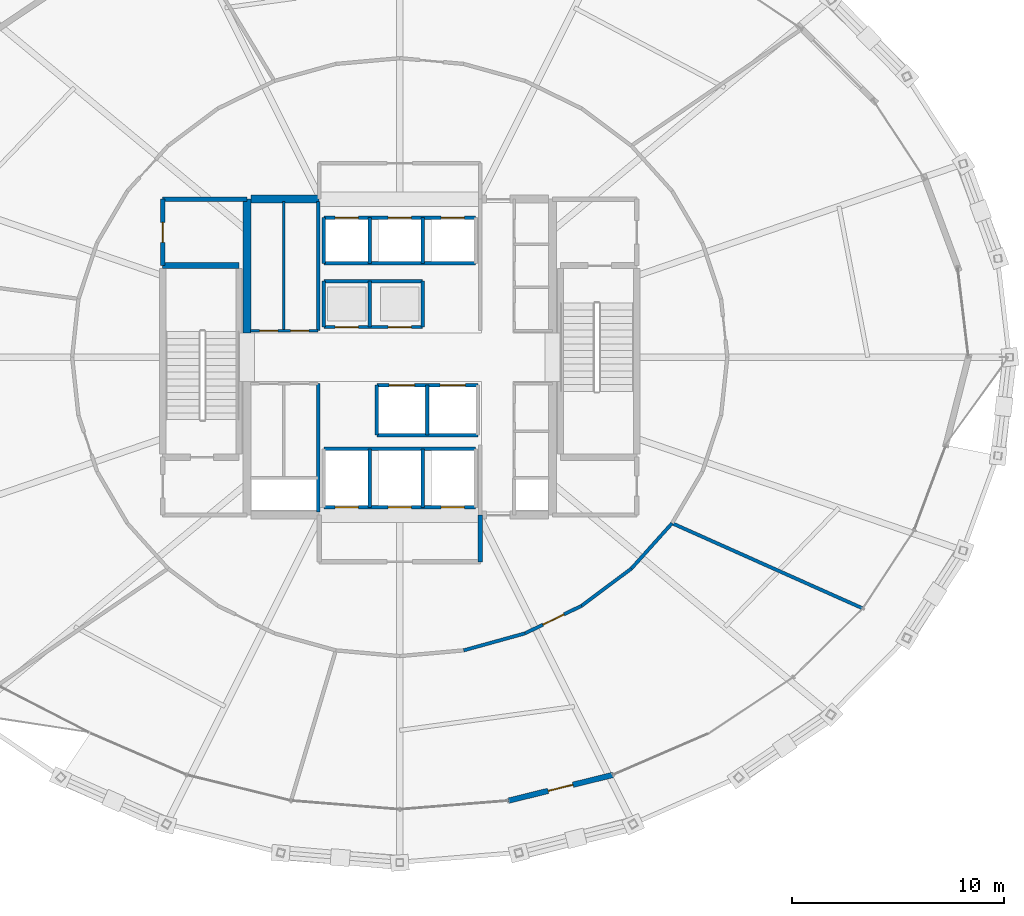
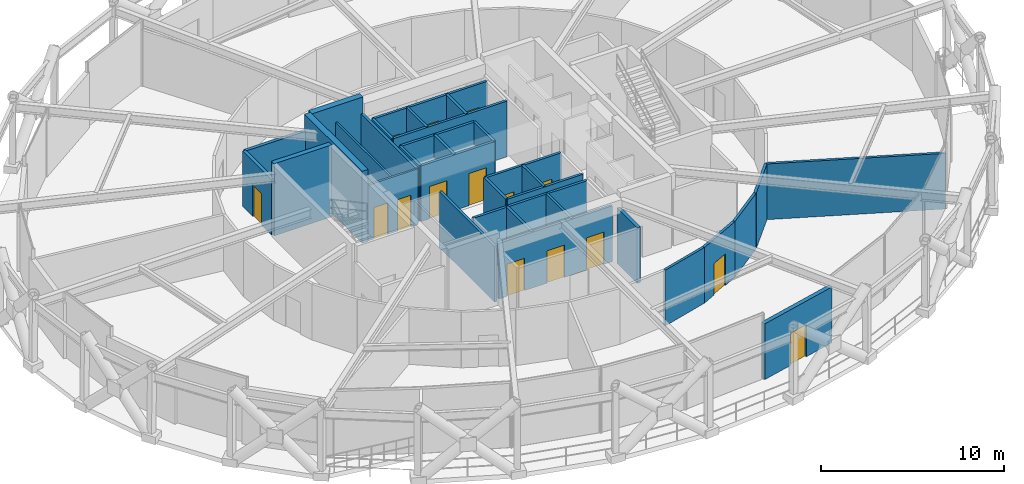
# One storey, part 33 of 39: 34 walls, 15 doors, 15 openings.
"""IFC4 building model written with IfcOpenShell, lengths in metres."""

from ifc_helpers import new_model, si_unit, direction, frame, frame_2d, origin, place, context, subcontext, project, spatial, rectangle, extrude, material, layer, layer_set, type_object, element, fill, save


model = new_model("IFC4")

# Units and contexts
model_context = context("Model", 3, precision=1e-05, world=origin(), true_north=direction((0.0, 1.0)))
body_context = subcontext(model_context, "Body", "Model", "MODEL_VIEW")
ifc_project = project(units=[si_unit("LENGTHUNIT", "METRE"), si_unit("AREAUNIT", "SQUARE_METRE"), si_unit("VOLUMEUNIT", "CUBIC_METRE"), si_unit("PLANEANGLEUNIT", "RADIAN"), si_unit("MASSUNIT", "GRAM", prefix="KILO")], contexts=[model_context])

# Site, building, storey
site_placement = place(None, origin())
site = spatial("IfcSite", under=ifc_project, at=site_placement, CompositionType="ELEMENT")
building_placement = place(site_placement, origin())
building = spatial("IfcBuilding", under=site, at=building_placement, Name="Veldorina Hangang Commons", CompositionType="ELEMENT")
storey_placement = place(building_placement, frame((0.0, 0.0, 106.0)))
storey = spatial("IfcBuildingStorey", under=building, at=storey_placement, Name="L27", CompositionType="ELEMENT", Elevation=106.0)

# Walls
ifc_material_1 = material(Name="Concrete C70/85", Category="concrete")
ifc_layer_1 = layer(ifc_material_1, 0.3798828125)
ifc_layer_set_1 = layer_set([ifc_layer_1], Name="Concrete C70/85")
wall_type_1 = type_object("IfcWallType", Name="CW-RC380-C70", PredefinedType="SHEAR", material=ifc_layer_set_1)
wall_1_placement = place(storey_placement, frame((24.800048828125, 25.14990234375, 0.0), z_axis=(0.0, 0.0, 1.0), x_axis=(0.0, 1.0, 0.0)))
element("IfcWall", 1, at=wall_1_placement, inside=storey, type_object=wall_type_1, Name="L27 W north core shear wall", PredefinedType="SHEAR", context=body_context, shape_type="SweptSolid", body=[
    extrude(rectangle(XDim=6.300048828125, YDim=0.3798828125, at=frame_2d((3.14990234375, 0.0))), origin(), (0.0, 0.0, 1.0), 4.800048828125),
])
wall_2_placement = place(storey_placement, frame((24.989990234375, 31.449951171875, 0.0), z_axis=(0.0, 0.0, 1.0), x_axis=(1.0, 0.0, 0.0)))
element("IfcWall", 2, at=wall_2_placement, inside=storey, type_object=wall_type_1, Name="L27 north-west core shear wall", PredefinedType="SHEAR", context=body_context, shape_type="SweptSolid", body=[
    extrude(rectangle(XDim=3.2099609375, YDim=0.3798828125, at=frame_2d((1.60498046875, 0.0))), origin(), (0.0, 0.0, 1.0), 4.800048828125),
])

# Wall, opening, door
ifc_material_2 = material(Name="Stone Roman Travertine", Category="masonry")
ifc_layer_2 = layer(ifc_material_2, 0.260009765625)
ifc_layer_set_2 = layer_set([ifc_layer_2], Name="Stone Roman Travertine")
wall_type_2 = type_object("IfcWallType", Name="EW-LOGGIA-260", PredefinedType="STANDARD", material=ifc_layer_set_2)
wall_3_placement = place(storey_placement, frame((37.12353515625, 3.081787109375, 0.0), z_axis=(0.0, 0.0, 1.0), x_axis=(0.970974491288, 0.23918306225, 0.0)))
wall_3 = element("IfcWall", 3, at=wall_3_placement, inside=storey, type_object=wall_type_2, Name="L27 sky-garden loggia portal wall 25", PredefinedType="STANDARD", context=body_context, shape_type="SweptSolid", body=[
    extrude(rectangle(XDim=5.073974609375, YDim=0.260009765625, at=frame_2d((2.537109375, 0.0))), origin(), (0.0, 0.0, 1.0), 3.7099609375),
])
opening_1_placement = place(wall_3_placement, frame((1.93701171875, 0.0, 0.0)))
opening_1 = element("IfcOpeningElement", 4, at=opening_1_placement, cuts=wall_3, Name="Opening BD-1200", PredefinedType="OPENING", context=body_context, shape_type="SweptSolid", body=[
    extrude(rectangle(XDim=1.199951171875, YDim=2.14990234375, at=frame_2d((0.60009765625, 1.074951171875))), frame((0.0, 0.14013671875, 0.0), z_axis=(0.0, -1.0, 0.0), x_axis=(1.0, 0.0, 0.0)), (0.0, 0.0, 1.0), 0.280029296875),
])
ifc_material_3 = material(Name="Glass Thermal Aluminium Frame", Category="aluminium")
door_type_1 = type_object("IfcDoorType", Name="DR-EXT-LOG1200", OperationType="SINGLE_SWING_LEFT", PredefinedType="DOOR", material=ifc_material_3)
door_1_placement = place(opening_1_placement, origin())
door_1 = element("IfcDoor", 5, at=door_1_placement, inside=storey, type_object=door_type_1, Name="L27 loggia glazed exterior door 25", OperationType="SINGLE_SWING_RIGHT", OverallHeight=2.14990234375, OverallWidth=1.199951171875, PredefinedType="DOOR", context=body_context, shape_type="SweptSolid", body=[
    extrude(rectangle(XDim=1.199951171875, YDim=2.14990234375, at=frame_2d((0.60009765625, 1.074951171875))), frame((0.0, 0.02490234375, 0.0), z_axis=(0.0, -1.0, 0.0), x_axis=(1.0, 0.0, 0.0)), (0.0, 0.0, 1.0), 0.050048828125),
])
fill(opening_1, door_1)

# Wall
ifc_material_4 = material(Name="Concrete C50/60", Category="concrete")
ifc_layer_3 = layer(ifc_material_4, 0.300048828125)
ifc_layer_set_3 = layer_set([ifc_layer_3], Name="Concrete C50/60")
wall_type_3 = type_object("IfcWallType", Name="SW-STAIR-300", PredefinedType="SHEAR", material=ifc_layer_set_3)
wall_4_placement = place(storey_placement, frame((20.820068359375, 28.320068359375, 0.0), z_axis=(0.0, 0.0, 1.0), x_axis=(1.0, 0.0, 0.0)))
element("IfcWall", 6, at=wall_4_placement, inside=storey, type_object=wall_type_3, Name="L27 ST1 north stair shear wall", PredefinedType="SHEAR", context=body_context, shape_type="SweptSolid", body=[
    extrude(rectangle(XDim=3.599853515625, YDim=0.300048828125, at=frame_2d((1.7998046875, 0.0))), origin(), (0.0, 0.0, 1.0), 4.800048828125),
])

# Wall, openings, doors
ifc_material_5 = material(Name="Gypsum Fire-Rated Twin Stud Wall", Category="gypsum")
ifc_layer_4 = layer(ifc_material_5, 0.159912109375)
ifc_layer_set_4 = layer_set([ifc_layer_4], Name="Gypsum Fire-Rated Twin Stud Wall")
wall_type_4 = type_object("IfcWallType", Name="WL-FIRE-160", PredefinedType="SOLIDWALL", material=ifc_layer_set_4)
wall_5_placement = place(storey_placement, frame((28.419921875, 30.580078125, 0.0), z_axis=(0.0, 0.0, 1.0), x_axis=(1.0, 0.0, 0.0)))
wall_5 = element("IfcWall", 7, at=wall_5_placement, inside=storey, type_object=wall_type_4, Name="L27 Low-bank front shaft wall 015", PredefinedType="SOLIDWALL", context=body_context, shape_type="SweptSolid", body=[
    extrude(rectangle(XDim=7.16015625, YDim=0.159912109375, at=frame_2d((3.580078125, 0.0))), origin(), (0.0, 0.0, 1.0), 3.7099609375),
])
opening_2_placement = place(wall_5_placement, frame((0.530029296875, 0.0, 0.0)))
opening_2 = element("IfcOpeningElement", 8, at=opening_2_placement, cuts=wall_5, Name="Opening LD-01", PredefinedType="OPENING", context=body_context, shape_type="SweptSolid", body=[
    extrude(rectangle(XDim=1.10009765625, YDim=2.14990234375, at=frame_2d((0.550048828125, 1.074951171875))), frame((0.0, 0.08984375, 0.0), z_axis=(0.0, -1.0, 0.0), x_axis=(1.0, 0.0, 0.0)), (0.0, 0.0, 1.0), 0.179931640625),
])
opening_3_placement = place(wall_5_placement, frame((3.030029296875, 0.0, 0.0)))
opening_3 = element("IfcOpeningElement", 9, at=opening_3_placement, cuts=wall_5, Name="Opening LD-01", PredefinedType="OPENING", context=body_context, shape_type="SweptSolid", body=[
    extrude(rectangle(XDim=1.10009765625, YDim=2.14990234375, at=frame_2d((0.550048828125, 1.074951171875))), frame((0.0, 0.08984375, 0.0), z_axis=(0.0, -1.0, 0.0), x_axis=(1.0, 0.0, 0.0)), (0.0, 0.0, 1.0), 0.179931640625),
])
opening_4_placement = place(wall_5_placement, frame((5.530029296875, 0.0, 0.0)))
opening_4 = element("IfcOpeningElement", 10, at=opening_4_placement, cuts=wall_5, Name="Opening LD-01", PredefinedType="OPENING", context=body_context, shape_type="SweptSolid", body=[
    extrude(rectangle(XDim=1.10009765625, YDim=2.14990234375, at=frame_2d((0.550048828125, 1.074951171875))), frame((0.0, 0.08984375, 0.0), z_axis=(0.0, -1.0, 0.0), x_axis=(1.0, 0.0, 0.0)), (0.0, 0.0, 1.0), 0.179931640625),
])
ifc_material_6 = material(Name="Stainless Steel Brushed Lift Door", Category="steel")
door_type_2 = type_object("IfcDoorType", Name="DR-LIFT-1100", OperationType="SLIDING_TO_LEFT", PredefinedType="DOOR", material=ifc_material_6)
door_2_placement = place(opening_2_placement, origin())
door_2 = element("IfcDoor", 11, at=door_2_placement, inside=storey, type_object=door_type_2, Name="L27 Lift PL-L1 landing door 006", OperationType="SLIDING_TO_LEFT", OverallHeight=2.14990234375, OverallWidth=1.10009765625, PredefinedType="DOOR", context=body_context, shape_type="SweptSolid", body=[
    extrude(rectangle(XDim=1.10009765625, YDim=2.14990234375, at=frame_2d((0.550048828125, 1.074951171875))), frame((0.0, 0.02490234375, 0.0), z_axis=(0.0, -1.0, 0.0), x_axis=(1.0, 0.0, 0.0)), (0.0, 0.0, 1.0), 0.050048828125),
])
fill(opening_2, door_2)
door_3_placement = place(opening_3_placement, origin())
door_3 = element("IfcDoor", 12, at=door_3_placement, inside=storey, type_object=door_type_2, Name="L27 Lift PL-L2 landing door 007", OperationType="SLIDING_TO_LEFT", OverallHeight=2.14990234375, OverallWidth=1.10009765625, PredefinedType="DOOR", context=body_context, shape_type="SweptSolid", body=[
    extrude(rectangle(XDim=1.10009765625, YDim=2.14990234375, at=frame_2d((0.550048828125, 1.074951171875))), frame((0.0, 0.02490234375, 0.0), z_axis=(0.0, -1.0, 0.0), x_axis=(1.0, 0.0, 0.0)), (0.0, 0.0, 1.0), 0.050048828125),
])
fill(opening_3, door_3)
door_4_placement = place(opening_4_placement, origin())
door_4 = element("IfcDoor", 13, at=door_4_placement, inside=storey, type_object=door_type_2, Name="L27 Lift PL-L3 landing door 008", OperationType="SLIDING_TO_LEFT", OverallHeight=2.14990234375, OverallWidth=1.10009765625, PredefinedType="DOOR", context=body_context, shape_type="SweptSolid", body=[
    extrude(rectangle(XDim=1.10009765625, YDim=2.14990234375, at=frame_2d((0.550048828125, 1.074951171875))), frame((0.0, 0.02490234375, 0.0), z_axis=(0.0, -1.0, 0.0), x_axis=(1.0, 0.0, 0.0)), (0.0, 0.0, 1.0), 0.050048828125),
])
fill(opening_4, door_4)

# Walls
wall_6_placement = place(storey_placement, frame((28.419921875, 28.419921875, 0.0), z_axis=(0.0, 0.0, 1.0), x_axis=(1.0, 0.0, 0.0)))
element("IfcWall", 14, at=wall_6_placement, inside=storey, type_object=wall_type_4, Name="L27 Low-bank rear shaft wall 016", PredefinedType="SOLIDWALL", context=body_context, shape_type="SweptSolid", body=[
    extrude(rectangle(XDim=7.16015625, YDim=0.159912109375, at=frame_2d((3.580078125, 0.0))), origin(), (0.0, 0.0, 1.0), 3.7099609375),
])
for number, where, z_axis, x_axis, name in (
    (15, (28.419921875, 28.419921875, 0.0), (0.0, 0.0, 1.0), (0.0, 1.0, 0.0), "L27 PL-L1 west shaft wall 017"),
    (16, (30.580078125, 28.419921875, 0.0), (0.0, 0.0, 1.0), (0.0, 1.0, 0.0), "L27 PL-L1 east shaft wall 018"),
    (17, (33.080078125, 28.419921875, 0.0), (0.0, 0.0, 1.0), (0.0, 1.0, 0.0), "L27 PL-L2 east shaft wall 019"),
):
    element("IfcWall", number, at=place(storey_placement, frame(where, z_axis=z_axis, x_axis=x_axis)), inside=storey, type_object=wall_type_4, Name=name, PredefinedType="SOLIDWALL", context=body_context, shape_type="SweptSolid", body=[
        extrude(rectangle(XDim=2.16015625, YDim=0.159912109375, at=frame_2d((1.080078125, 0.0))), origin(), (0.0, 0.0, 1.0), 3.7099609375),
    ])

# Wall, openings, doors
wall_7_placement = place(storey_placement, frame((28.419921875, 25.419921875, 0.0), z_axis=(0.0, 0.0, 1.0), x_axis=(1.0, 0.0, 0.0)))
wall_7 = element("IfcWall", 18, at=wall_7_placement, inside=storey, type_object=wall_type_4, Name="L27 Mid-high front shaft wall 021", PredefinedType="SOLIDWALL", context=body_context, shape_type="SweptSolid", body=[
    extrude(rectangle(XDim=4.66015625, YDim=0.159912109375, at=frame_2d((2.330078125, 0.0))), origin(), (0.0, 0.0, 1.0), 3.7099609375),
])
opening_5_placement = place(wall_7_placement, frame((0.530029296875, 0.0, 0.0)))
opening_5 = element("IfcOpeningElement", 19, at=opening_5_placement, cuts=wall_7, Name="Opening LD-01", PredefinedType="OPENING", context=body_context, shape_type="SweptSolid", body=[
    extrude(rectangle(XDim=1.10009765625, YDim=2.14990234375, at=frame_2d((0.550048828125, 1.074951171875))), frame((0.0, 0.08984375, 0.0), z_axis=(0.0, -1.0, 0.0), x_axis=(1.0, 0.0, 0.0)), (0.0, 0.0, 1.0), 0.179931640625),
])
opening_6_placement = place(wall_7_placement, frame((3.030029296875, 0.0, 0.0)))
opening_6 = element("IfcOpeningElement", 20, at=opening_6_placement, cuts=wall_7, Name="Opening LD-01", PredefinedType="OPENING", context=body_context, shape_type="SweptSolid", body=[
    extrude(rectangle(XDim=1.10009765625, YDim=2.14990234375, at=frame_2d((0.550048828125, 1.074951171875))), frame((0.0, 0.08984375, 0.0), z_axis=(0.0, -1.0, 0.0), x_axis=(1.0, 0.0, 0.0)), (0.0, 0.0, 1.0), 0.179931640625),
])
door_5_placement = place(opening_5_placement, origin())
door_5 = element("IfcDoor", 21, at=door_5_placement, inside=storey, type_object=door_type_2, Name="L27 Lift PL-M1 landing door 009", OperationType="SLIDING_TO_RIGHT", OverallHeight=2.14990234375, OverallWidth=1.10009765625, PredefinedType="DOOR", context=body_context, shape_type="SweptSolid", body=[
    extrude(rectangle(XDim=1.10009765625, YDim=2.14990234375, at=frame_2d((0.550048828125, 1.074951171875))), frame((0.0, 0.02490234375, 0.0), z_axis=(0.0, -1.0, 0.0), x_axis=(1.0, 0.0, 0.0)), (0.0, 0.0, 1.0), 0.050048828125),
])
fill(opening_5, door_5)
door_6_placement = place(opening_6_placement, origin())
door_6 = element("IfcDoor", 22, at=door_6_placement, inside=storey, type_object=door_type_2, Name="L27 Lift PL-M2 landing door 010", OperationType="SLIDING_TO_RIGHT", OverallHeight=2.14990234375, OverallWidth=1.10009765625, PredefinedType="DOOR", context=body_context, shape_type="SweptSolid", body=[
    extrude(rectangle(XDim=1.10009765625, YDim=2.14990234375, at=frame_2d((0.550048828125, 1.074951171875))), frame((0.0, 0.02490234375, 0.0), z_axis=(0.0, -1.0, 0.0), x_axis=(1.0, 0.0, 0.0)), (0.0, 0.0, 1.0), 0.050048828125),
])
fill(opening_6, door_6)

# Walls
wall_8_placement = place(storey_placement, frame((28.419921875, 27.580078125, 0.0), z_axis=(0.0, 0.0, 1.0), x_axis=(1.0, 0.0, 0.0)))
element("IfcWall", 23, at=wall_8_placement, inside=storey, type_object=wall_type_4, Name="L27 Mid-high rear shaft wall 022", PredefinedType="SOLIDWALL", context=body_context, shape_type="SweptSolid", body=[
    extrude(rectangle(XDim=4.66015625, YDim=0.159912109375, at=frame_2d((2.330078125, 0.0))), origin(), (0.0, 0.0, 1.0), 3.7099609375),
])
for number, where, z_axis, x_axis, name in (
    (24, (28.419921875, 25.419921875, 0.0), (0.0, 0.0, 1.0), (0.0, 1.0, 0.0), "L27 PL-M1 west shaft wall 023"),
    (25, (30.580078125, 25.419921875, 0.0), (0.0, 0.0, 1.0), (0.0, 1.0, 0.0), "L27 PL-M1 east shaft wall 024"),
    (26, (33.080078125, 25.419921875, 0.0), (0.0, 0.0, 1.0), (0.0, 1.0, 0.0), "L27 PL-M2 east shaft wall 025"),
):
    element("IfcWall", number, at=place(storey_placement, frame(where, z_axis=z_axis, x_axis=x_axis)), inside=storey, type_object=wall_type_4, Name=name, PredefinedType="SOLIDWALL", context=body_context, shape_type="SweptSolid", body=[
        extrude(rectangle(XDim=2.16015625, YDim=0.159912109375, at=frame_2d((1.080078125, 0.0))), origin(), (0.0, 0.0, 1.0), 3.7099609375),
    ])

# Wall, openings, doors
wall_9_placement = place(storey_placement, frame((30.919921875, 22.679931640625, 0.0), z_axis=(0.0, 0.0, 1.0), x_axis=(1.0, 0.0, 0.0)))
wall_9 = element("IfcWall", 27, at=wall_9_placement, inside=storey, type_object=wall_type_4, Name="L27 Shuttle-high front shaft wall 026", PredefinedType="SOLIDWALL", context=body_context, shape_type="SweptSolid", body=[
    extrude(rectangle(XDim=4.760009765625, YDim=0.159912109375, at=frame_2d((2.3798828125, 0.0))), origin(), (0.0, 0.0, 1.0), 3.7099609375),
])
opening_7_placement = place(wall_9_placement, frame((0.580078125, 0.0, 0.0)))
opening_7 = element("IfcOpeningElement", 28, at=opening_7_placement, cuts=wall_9, Name="Opening LD-02", PredefinedType="OPENING", context=body_context, shape_type="SweptSolid", body=[
    extrude(rectangle(XDim=1.199951171875, YDim=2.14990234375, at=frame_2d((0.60009765625, 1.074951171875))), frame((0.0, 0.08984375, 0.0), z_axis=(0.0, -1.0, 0.0), x_axis=(1.0, 0.0, 0.0)), (0.0, 0.0, 1.0), 0.179931640625),
])
opening_8_placement = place(wall_9_placement, frame((2.97998046875, 0.0, 0.0)))
opening_8 = element("IfcOpeningElement", 29, at=opening_8_placement, cuts=wall_9, Name="Opening LD-02", PredefinedType="OPENING", context=body_context, shape_type="SweptSolid", body=[
    extrude(rectangle(XDim=1.199951171875, YDim=2.14990234375, at=frame_2d((0.60009765625, 1.074951171875))), frame((0.0, 0.08984375, 0.0), z_axis=(0.0, -1.0, 0.0), x_axis=(1.0, 0.0, 0.0)), (0.0, 0.0, 1.0), 0.179931640625),
])
ifc_material_7 = material(Name="Stainless Steel Express Lift Door", Category="steel")
door_type_3 = type_object("IfcDoorType", Name="DR-LIFT-1200", OperationType="SLIDING_TO_LEFT", PredefinedType="DOOR", material=ifc_material_7)
door_7_placement = place(opening_7_placement, origin())
door_7 = element("IfcDoor", 30, at=door_7_placement, inside=storey, type_object=door_type_3, Name="L27 Lift SL-1 landing door 011", OperationType="SLIDING_TO_LEFT", OverallHeight=2.14990234375, OverallWidth=1.199951171875, PredefinedType="DOOR", context=body_context, shape_type="SweptSolid", body=[
    extrude(rectangle(XDim=1.199951171875, YDim=2.14990234375, at=frame_2d((0.60009765625, 1.074951171875))), frame((0.0, 0.02490234375, 0.0), z_axis=(0.0, -1.0, 0.0), x_axis=(1.0, 0.0, 0.0)), (0.0, 0.0, 1.0), 0.050048828125),
])
fill(opening_7, door_7)
door_8_placement = place(opening_8_placement, origin())
door_8 = element("IfcDoor", 31, at=door_8_placement, inside=storey, type_object=door_type_3, Name="L27 Lift SL-2 landing door 012", OperationType="SLIDING_TO_LEFT", OverallHeight=2.14990234375, OverallWidth=1.199951171875, PredefinedType="DOOR", context=body_context, shape_type="SweptSolid", body=[
    extrude(rectangle(XDim=1.199951171875, YDim=2.14990234375, at=frame_2d((0.60009765625, 1.074951171875))), frame((0.0, 0.02490234375, 0.0), z_axis=(0.0, -1.0, 0.0), x_axis=(1.0, 0.0, 0.0)), (0.0, 0.0, 1.0), 0.050048828125),
])
fill(opening_8, door_8)

# Walls
wall_10_placement = place(storey_placement, frame((30.919921875, 20.320068359375, 0.0), z_axis=(0.0, 0.0, 1.0), x_axis=(1.0, 0.0, 0.0)))
element("IfcWall", 32, at=wall_10_placement, inside=storey, type_object=wall_type_4, Name="L27 Shuttle-high rear shaft wall 027", PredefinedType="SOLIDWALL", context=body_context, shape_type="SweptSolid", body=[
    extrude(rectangle(XDim=4.760009765625, YDim=0.159912109375, at=frame_2d((2.3798828125, 0.0))), origin(), (0.0, 0.0, 1.0), 3.7099609375),
])
for number, where, z_axis, x_axis, name in (
    (33, (30.919921875, 20.320068359375, 0.0), (0.0, 0.0, 1.0), (0.0, 1.0, 0.0), "L27 SL-1 west shaft wall 028"),
    (34, (33.300048828125, 20.320068359375, 0.0), (0.0, 0.0, 1.0), (0.0, 1.0, 0.0), "L27 SL-1 east shaft wall 029"),
):
    element("IfcWall", number, at=place(storey_placement, frame(where, z_axis=z_axis, x_axis=x_axis)), inside=storey, type_object=wall_type_4, Name=name, PredefinedType="SOLIDWALL", context=body_context, shape_type="SweptSolid", body=[
        extrude(rectangle(XDim=2.35986328125, YDim=0.159912109375, at=frame_2d((1.179931640625, 0.0))), origin(), (0.0, 0.0, 1.0), 3.7099609375),
    ])

# Wall, openings, doors
wall_11_placement = place(storey_placement, frame((28.419921875, 16.919921875, 0.0), z_axis=(0.0, 0.0, 1.0), x_axis=(1.0, 0.0, 0.0)))
wall_11 = element("IfcWall", 35, at=wall_11_placement, inside=storey, type_object=wall_type_4, Name="L27 Emergency front shaft wall 031", PredefinedType="SOLIDWALL", context=body_context, shape_type="SweptSolid", body=[
    extrude(rectangle(XDim=7.16015625, YDim=0.159912109375, at=frame_2d((3.580078125, 0.0))), origin(), (0.0, 0.0, 1.0), 3.7099609375),
])
opening_9_placement = place(wall_11_placement, frame((0.530029296875, 0.0, 0.0)))
opening_9 = element("IfcOpeningElement", 36, at=opening_9_placement, cuts=wall_11, Name="Opening LD-03", PredefinedType="OPENING", context=body_context, shape_type="SweptSolid", body=[
    extrude(rectangle(XDim=1.10009765625, YDim=2.14990234375, at=frame_2d((0.550048828125, 1.074951171875))), frame((0.0, 0.08984375, 0.0), z_axis=(0.0, -1.0, 0.0), x_axis=(1.0, 0.0, 0.0)), (0.0, 0.0, 1.0), 0.179931640625),
])
opening_10_placement = place(wall_11_placement, frame((3.030029296875, 0.0, 0.0)))
opening_10 = element("IfcOpeningElement", 37, at=opening_10_placement, cuts=wall_11, Name="Opening LD-03", PredefinedType="OPENING", context=body_context, shape_type="SweptSolid", body=[
    extrude(rectangle(XDim=1.10009765625, YDim=2.14990234375, at=frame_2d((0.550048828125, 1.074951171875))), frame((0.0, 0.08984375, 0.0), z_axis=(0.0, -1.0, 0.0), x_axis=(1.0, 0.0, 0.0)), (0.0, 0.0, 1.0), 0.179931640625),
])
opening_11_placement = place(wall_11_placement, frame((5.530029296875, 0.0, 0.0)))
opening_11 = element("IfcOpeningElement", 38, at=opening_11_placement, cuts=wall_11, Name="Opening LD-03", PredefinedType="OPENING", context=body_context, shape_type="SweptSolid", body=[
    extrude(rectangle(XDim=1.10009765625, YDim=2.14990234375, at=frame_2d((0.550048828125, 1.074951171875))), frame((0.0, 0.08984375, 0.0), z_axis=(0.0, -1.0, 0.0), x_axis=(1.0, 0.0, 0.0)), (0.0, 0.0, 1.0), 0.179931640625),
])
ifc_material_8 = material(Name="Stainless Steel Firefighting Lift Door", Category="steel")
door_type_4 = type_object("IfcDoorType", Name="DR-LIFT-FF1100", OperationType="SLIDING_TO_RIGHT", PredefinedType="DOOR", material=ifc_material_8)
door_9_placement = place(opening_9_placement, origin())
door_9 = element("IfcDoor", 39, at=door_9_placement, inside=storey, type_object=door_type_4, Name="L27 Emergency lift FFL-1 landing door 013", OperationType="SLIDING_TO_RIGHT", OverallHeight=2.14990234375, OverallWidth=1.10009765625, PredefinedType="DOOR", context=body_context, shape_type="SweptSolid", body=[
    extrude(rectangle(XDim=1.10009765625, YDim=2.14990234375, at=frame_2d((0.550048828125, 1.074951171875))), frame((0.0, 0.02490234375, 0.0), z_axis=(0.0, -1.0, 0.0), x_axis=(1.0, 0.0, 0.0)), (0.0, 0.0, 1.0), 0.050048828125),
])
fill(opening_9, door_9)
door_10_placement = place(opening_10_placement, origin())
door_10 = element("IfcDoor", 40, at=door_10_placement, inside=storey, type_object=door_type_4, Name="L27 Emergency lift FFL-2 landing door 014", OperationType="SLIDING_TO_RIGHT", OverallHeight=2.14990234375, OverallWidth=1.10009765625, PredefinedType="DOOR", context=body_context, shape_type="SweptSolid", body=[
    extrude(rectangle(XDim=1.10009765625, YDim=2.14990234375, at=frame_2d((0.550048828125, 1.074951171875))), frame((0.0, 0.02490234375, 0.0), z_axis=(0.0, -1.0, 0.0), x_axis=(1.0, 0.0, 0.0)), (0.0, 0.0, 1.0), 0.050048828125),
])
fill(opening_10, door_10)
door_11_placement = place(opening_11_placement, origin())
door_11 = element("IfcDoor", 41, at=door_11_placement, inside=storey, type_object=door_type_4, Name="L27 Emergency lift EVL-1 landing door 015", OperationType="SLIDING_TO_RIGHT", OverallHeight=2.14990234375, OverallWidth=1.10009765625, PredefinedType="DOOR", context=body_context, shape_type="SweptSolid", body=[
    extrude(rectangle(XDim=1.10009765625, YDim=2.14990234375, at=frame_2d((0.550048828125, 1.074951171875))), frame((0.0, 0.02490234375, 0.0), z_axis=(0.0, -1.0, 0.0), x_axis=(1.0, 0.0, 0.0)), (0.0, 0.0, 1.0), 0.050048828125),
])
fill(opening_11, door_11)

# Walls
wall_12_placement = place(storey_placement, frame((28.419921875, 19.679931640625, 0.0), z_axis=(0.0, 0.0, 1.0), x_axis=(1.0, 0.0, 0.0)))
element("IfcWall", 42, at=wall_12_placement, inside=storey, type_object=wall_type_4, Name="L27 Emergency rear shaft wall 032", PredefinedType="SOLIDWALL", context=body_context, shape_type="SweptSolid", body=[
    extrude(rectangle(XDim=7.16015625, YDim=0.159912109375, at=frame_2d((3.580078125, 0.0))), origin(), (0.0, 0.0, 1.0), 3.7099609375),
])
for number, where, z_axis, x_axis, name in (
    (43, (30.580078125, 16.919921875, 0.0), (0.0, 0.0, 1.0), (0.0, 1.0, 0.0), "L27 FFL-1 east shaft wall 034"),
    (44, (33.080078125, 16.919921875, 0.0), (0.0, 0.0, 1.0), (0.0, 1.0, 0.0), "L27 FFL-2 east shaft wall 035"),
):
    element("IfcWall", number, at=place(storey_placement, frame(where, z_axis=z_axis, x_axis=x_axis)), inside=storey, type_object=wall_type_4, Name=name, PredefinedType="SOLIDWALL", context=body_context, shape_type="SweptSolid", body=[
        extrude(rectangle(XDim=2.760009765625, YDim=0.159912109375, at=frame_2d((1.3798828125, 0.0))), origin(), (0.0, 0.0, 1.0), 3.7099609375),
    ])
wall_13_placement = place(storey_placement, frame((28.14990234375, 16.699951171875, 0.0), z_axis=(0.0, 0.0, 1.0), x_axis=(0.0, 1.0, 0.0)))
element("IfcWall", 45, at=wall_13_placement, inside=storey, type_object=wall_type_4, Name="L27 SW core inner wall 041", PredefinedType="SOLIDWALL", context=body_context, shape_type="SweptSolid", body=[
    extrude(rectangle(XDim=6.050048828125, YDim=0.159912109375, at=frame_2d((3.02490234375, 0.0))), origin(), (0.0, 0.0, 1.0), 3.7099609375),
])
wall_14_placement = place(storey_placement, frame((28.14990234375, 25.25, 0.0), z_axis=(0.0, 0.0, 1.0), x_axis=(0.0, 1.0, 0.0)))
element("IfcWall", 46, at=wall_14_placement, inside=storey, type_object=wall_type_4, Name="L27 NW core inner wall 043", PredefinedType="SOLIDWALL", context=body_context, shape_type="SweptSolid", body=[
    extrude(rectangle(XDim=6.10009765625, YDim=0.159912109375, at=frame_2d((3.050048828125, 0.0))), origin(), (0.0, 0.0, 1.0), 3.7099609375),
])
wall_15_placement = place(storey_placement, frame((35.01416015625, 10.1708984375, 0.0), z_axis=(0.0, 0.0, 1.0), x_axis=(0.963743190464, 0.26683152519, 0.0)))
element("IfcWall", 47, at=wall_15_placement, inside=storey, type_object=wall_type_4, Name="L27 Sky gallery wall 25 080", PredefinedType="SOLIDWALL", context=body_context, shape_type="SweptSolid", body=[
    extrude(rectangle(XDim=3.007568359375, YDim=0.159912109375, at=frame_2d((1.50390625, 0.0))), origin(), (0.0, 0.0, 1.0), 3.7099609375),
])

# Wall, opening, door
wall_16_placement = place(storey_placement, frame((37.91259765625, 10.973388671875, 0.0), z_axis=(0.0, 0.0, 1.0), x_axis=(0.898755022802, 0.438451147778, 0.0)))
wall_16 = element("IfcWall", 48, at=wall_16_placement, inside=storey, type_object=wall_type_4, Name="L27 Sky gallery wall 26 081", PredefinedType="SOLIDWALL", context=body_context, shape_type="SweptSolid", body=[
    extrude(rectangle(XDim=2.9716796875, YDim=0.159912109375, at=frame_2d((1.48583984375, 0.0))), origin(), (0.0, 0.0, 1.0), 3.7099609375),
])
opening_12_placement = place(wall_16_placement, frame((0.93603515625, 0.0, 0.0)))
opening_12 = element("IfcOpeningElement", 49, at=opening_12_placement, cuts=wall_16, Name="Opening D-08", PredefinedType="OPENING", context=body_context, shape_type="SweptSolid", body=[
    extrude(rectangle(XDim=1.10009765625, YDim=2.10009765625, at=frame_2d((0.550048828125, 1.050048828125))), frame((0.0, 0.08984375, 0.0), z_axis=(0.0, -1.0, 0.0), x_axis=(1.0, 0.0, 0.0)), (0.0, 0.0, 1.0), 0.179931640625),
])
ifc_material_9 = material(Name="Steel Fire-Rated Smoke Seal", Category="steel")
door_type_5 = type_object("IfcDoorType", Name="DR-FIRE-1100", OperationType="SINGLE_SWING_RIGHT", PredefinedType="DOOR", material=ifc_material_9)
door_12_placement = place(opening_12_placement, origin())
door_12 = element("IfcDoor", 50, at=door_12_placement, inside=storey, type_object=door_type_5, Name="L27 Sky Lobby Transfer Reception entrance door 026", OperationType="SINGLE_SWING_RIGHT", OverallHeight=2.10009765625, OverallWidth=1.10009765625, PredefinedType="DOOR", context=body_context, shape_type="SweptSolid", body=[
    extrude(rectangle(XDim=1.10009765625, YDim=2.10009765625, at=frame_2d((0.550048828125, 1.050048828125))), frame((0.0, 0.02490234375, 0.0), z_axis=(0.0, -1.0, 0.0), x_axis=(1.0, 0.0, 0.0)), (0.0, 0.0, 1.0), 0.050048828125),
])
fill(opening_12, door_12)

# Walls
wall_17_placement = place(storey_placement, frame((40.58349609375, 12.2763671875, 0.0), z_axis=(0.0, 0.0, 1.0), x_axis=(0.800420462314, 0.599438973966, 0.0)))
element("IfcWall", 51, at=wall_17_placement, inside=storey, type_object=wall_type_4, Name="L27 Sky gallery wall 27 082", PredefinedType="SOLIDWALL", context=body_context, shape_type="SweptSolid", body=[
    extrude(rectangle(XDim=2.925048828125, YDim=0.159912109375, at=frame_2d((1.46240234375, 0.0))), origin(), (0.0, 0.0, 1.0), 3.7099609375),
])
wall_18_placement = place(storey_placement, frame((42.9248046875, 14.02978515625, 0.0), z_axis=(0.0, 0.0, 1.0), x_axis=(0.668645478294, 0.743581350194, 0.0)))
element("IfcWall", 52, at=wall_18_placement, inside=storey, type_object=wall_type_4, Name="L27 Sky gallery wall 28 083", PredefinedType="SOLIDWALL", context=body_context, shape_type="SweptSolid", body=[
    extrude(rectangle(XDim=2.87353515625, YDim=0.159912109375, at=frame_2d((1.436767578125, 0.0))), origin(), (0.0, 0.0, 1.0), 3.7099609375),
])
wall_19_placement = place(storey_placement, frame((44.84619140625, 16.16650390625, 0.0), z_axis=(0.0, 0.0, 1.0), x_axis=(0.913056448799, -0.4078332028, 0.0)))
element("IfcWall", 53, at=wall_19_placement, inside=storey, type_object=wall_type_4, Name="L27 Sky lobby radial wall 2 088", PredefinedType="SOLIDWALL", context=body_context, shape_type="SweptSolid", body=[
    extrude(rectangle(XDim=9.846923828125, YDim=0.159912109375, at=frame_2d((4.92333984375, 0.0))), origin(), (0.0, 0.0, 1.0), 3.7099609375),
])

# Wall, opening, door
ifc_material_10 = material(Name="Concrete Blockwork Fire Wall C30/37", Category="masonry")
ifc_layer_5 = layer(ifc_material_10, 0.199951171875)
ifc_layer_set_5 = layer_set([ifc_layer_5], Name="Concrete Blockwork Fire Wall C30/37")
wall_type_5 = type_object("IfcWallType", Name="WL-FIRE-200", PredefinedType="SOLIDWALL", material=ifc_layer_set_5)
wall_20_placement = place(storey_placement, frame((20.820068359375, 28.320068359375, 0.0), z_axis=(0.0, 0.0, 1.0), x_axis=(0.0, 1.0, 0.0)))
wall_20 = element("IfcWall", 54, at=wall_20_placement, inside=storey, type_object=wall_type_5, Name="L27 NW core room outer wall 005", PredefinedType="SOLIDWALL", context=body_context, shape_type="SweptSolid", body=[
    extrude(rectangle(XDim=3.1298828125, YDim=0.199951171875, at=frame_2d((1.56494140625, 0.0))), origin(), (0.0, 0.0, 1.0), 3.7099609375),
])
opening_13_placement = place(wall_20_placement, frame((1.090087890625, 0.0, 0.0)))
opening_13 = element("IfcOpeningElement", 55, at=opening_13_placement, cuts=wall_20, Name="Opening D-04", PredefinedType="OPENING", context=body_context, shape_type="SweptSolid", body=[
    extrude(rectangle(XDim=0.949951171875, YDim=2.10009765625, at=frame_2d((0.47509765625, 1.050048828125))), frame((0.0, 0.10986328125, 0.0), z_axis=(0.0, -1.0, 0.0), x_axis=(1.0, 0.0, 0.0)), (0.0, 0.0, 1.0), 0.219970703125),
])
ifc_material_11 = material(Name="Timber Accessible Flush Leaf", Category="wood")
door_type_6 = type_object("IfcDoorType", Name="DR-ACC-950", OperationType="SINGLE_SWING_LEFT", PredefinedType="DOOR", material=ifc_material_11)
door_13_placement = place(opening_13_placement, origin())
door_13 = element("IfcDoor", 56, at=door_13_placement, inside=storey, type_object=door_type_6, Name="L27 NW core WC door 003", OperationType="SINGLE_SWING_LEFT", OverallHeight=2.10009765625, OverallWidth=0.949951171875, PredefinedType="DOOR", context=body_context, shape_type="SweptSolid", body=[
    extrude(rectangle(XDim=0.949951171875, YDim=2.10009765625, at=frame_2d((0.47509765625, 1.050048828125))), frame((0.0, 0.02490234375, 0.0), z_axis=(0.0, -1.0, 0.0), x_axis=(1.0, 0.0, 0.0)), (0.0, 0.0, 1.0), 0.050048828125),
])
fill(opening_13, door_13)

# Walls
wall_21_placement = place(storey_placement, frame((20.820068359375, 31.449951171875, 0.0), z_axis=(0.0, 0.0, 1.0), x_axis=(1.0, 0.0, 0.0)))
element("IfcWall", 57, at=wall_21_placement, inside=storey, type_object=wall_type_5, Name="L27 NW core room north wall 006", PredefinedType="SOLIDWALL", context=body_context, shape_type="SweptSolid", body=[
    extrude(rectangle(XDim=3.97998046875, YDim=0.199951171875, at=frame_2d((1.989990234375, 0.0))), origin(), (0.0, 0.0, 1.0), 3.7099609375),
])
wall_22_placement = place(storey_placement, frame((35.800048828125, 14.35009765625, 0.0), z_axis=(0.0, 0.0, 1.0), x_axis=(0.0, 1.0, 0.0)))
element("IfcWall", 58, at=wall_22_placement, inside=storey, type_object=wall_type_5, Name="L27 FF lobby east wall 013", PredefinedType="SOLIDWALL", context=body_context, shape_type="SweptSolid", body=[
    extrude(rectangle(XDim=2.199951171875, YDim=0.199951171875, at=frame_2d((1.10009765625, 0.0))), origin(), (0.0, 0.0, 1.0), 3.7099609375),
])

# Wall, openings, doors
ifc_material_12 = material(Name="Gypsum Acoustic Stud Partition", Category="gypsum")
ifc_layer_6 = layer(ifc_material_12, 0.1201171875)
ifc_layer_set_6 = layer_set([ifc_layer_6], Name="Gypsum Acoustic Stud Partition")
wall_type_6 = type_object("IfcWallType", Name="WL-PART-120", PredefinedType="PARTITIONING", material=ifc_layer_set_6)
wall_23_placement = place(storey_placement, frame((24.949951171875, 25.25, 0.0), z_axis=(0.0, 0.0, 1.0), x_axis=(1.0, 0.0, 0.0)))
wall_23 = element("IfcWall", 59, at=wall_23_placement, inside=storey, type_object=wall_type_6, Name="L27 NW service south wall 044", PredefinedType="PARTITIONING", context=body_context, shape_type="SweptSolid", body=[
    extrude(rectangle(XDim=3.199951171875, YDim=0.1201171875, at=frame_2d((1.60009765625, 0.0))), origin(), (0.0, 0.0, 1.0), 3.7099609375),
])
opening_14_placement = place(wall_23_placement, frame((0.43994140625, 0.0, 0.0)))
opening_14 = element("IfcOpeningElement", 60, at=opening_14_placement, cuts=wall_23, Name="Opening D-01", PredefinedType="OPENING", context=body_context, shape_type="SweptSolid", body=[
    extrude(rectangle(XDim=0.860107421875, YDim=2.10009765625, at=frame_2d((0.43017578125, 1.050048828125))), frame((0.0, 0.070068359375, 0.0), z_axis=(0.0, -1.0, 0.0), x_axis=(1.0, 0.0, 0.0)), (0.0, 0.0, 1.0), 0.14013671875),
])
opening_15_placement = place(wall_23_placement, frame((1.89990234375, 0.0, 0.0)))
opening_15 = element("IfcOpeningElement", 61, at=opening_15_placement, cuts=wall_23, Name="Opening D-01", PredefinedType="OPENING", context=body_context, shape_type="SweptSolid", body=[
    extrude(rectangle(XDim=0.860107421875, YDim=2.10009765625, at=frame_2d((0.43017578125, 1.050048828125))), frame((0.0, 0.070068359375, 0.0), z_axis=(0.0, -1.0, 0.0), x_axis=(1.0, 0.0, 0.0)), (0.0, 0.0, 1.0), 0.14013671875),
])
ifc_material_13 = material(Name="Timber Moisture-Resistant Core", Category="wood")
door_type_7 = type_object("IfcDoorType", Name="DR-WET-860", OperationType="SINGLE_SWING_LEFT", PredefinedType="DOOR", material=ifc_material_13)
door_14_placement = place(opening_14_placement, origin())
door_14 = element("IfcDoor", 62, at=door_14_placement, inside=storey, type_object=door_type_7, Name="L27 Linen west door 017", OperationType="SINGLE_SWING_LEFT", OverallHeight=2.10009765625, OverallWidth=0.860107421875, PredefinedType="DOOR", context=body_context, shape_type="SweptSolid", body=[
    extrude(rectangle(XDim=0.860107421875, YDim=2.10009765625, at=frame_2d((0.43017578125, 1.050048828125))), frame((0.0, 0.02490234375, 0.0), z_axis=(0.0, -1.0, 0.0), x_axis=(1.0, 0.0, 0.0)), (0.0, 0.0, 1.0), 0.050048828125),
])
fill(opening_14, door_14)
door_15_placement = place(opening_15_placement, origin())
door_15 = element("IfcDoor", 63, at=door_15_placement, inside=storey, type_object=door_type_7, Name="L27 Data closet door 018", OperationType="SINGLE_SWING_RIGHT", OverallHeight=2.10009765625, OverallWidth=0.860107421875, PredefinedType="DOOR", context=body_context, shape_type="SweptSolid", body=[
    extrude(rectangle(XDim=0.860107421875, YDim=2.10009765625, at=frame_2d((0.43017578125, 1.050048828125))), frame((0.0, 0.02490234375, 0.0), z_axis=(0.0, -1.0, 0.0), x_axis=(1.0, 0.0, 0.0)), (0.0, 0.0, 1.0), 0.050048828125),
])
fill(opening_15, door_15)

# Wall
wall_24_placement = place(storey_placement, frame((26.530029296875, 25.25, 0.0), z_axis=(0.0, 0.0, 1.0), x_axis=(0.0, 1.0, 0.0)))
element("IfcWall", 64, at=wall_24_placement, inside=storey, type_object=wall_type_6, Name="L27 NW vertical split 050", PredefinedType="PARTITIONING", context=body_context, shape_type="SweptSolid", body=[
    extrude(rectangle(XDim=6.10009765625, YDim=0.1201171875, at=frame_2d((3.050048828125, 0.0))), origin(), (0.0, 0.0, 1.0), 3.7099609375),
])

save(model, "model.ifc")
